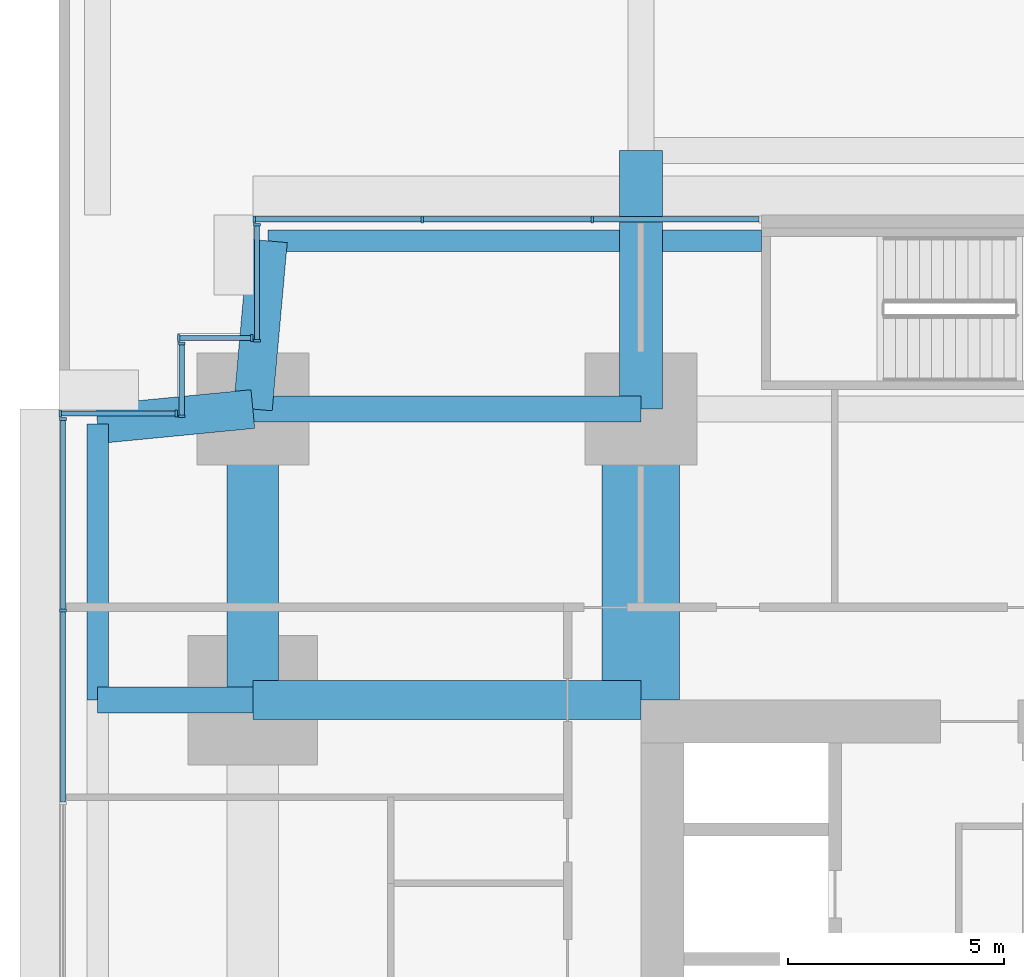
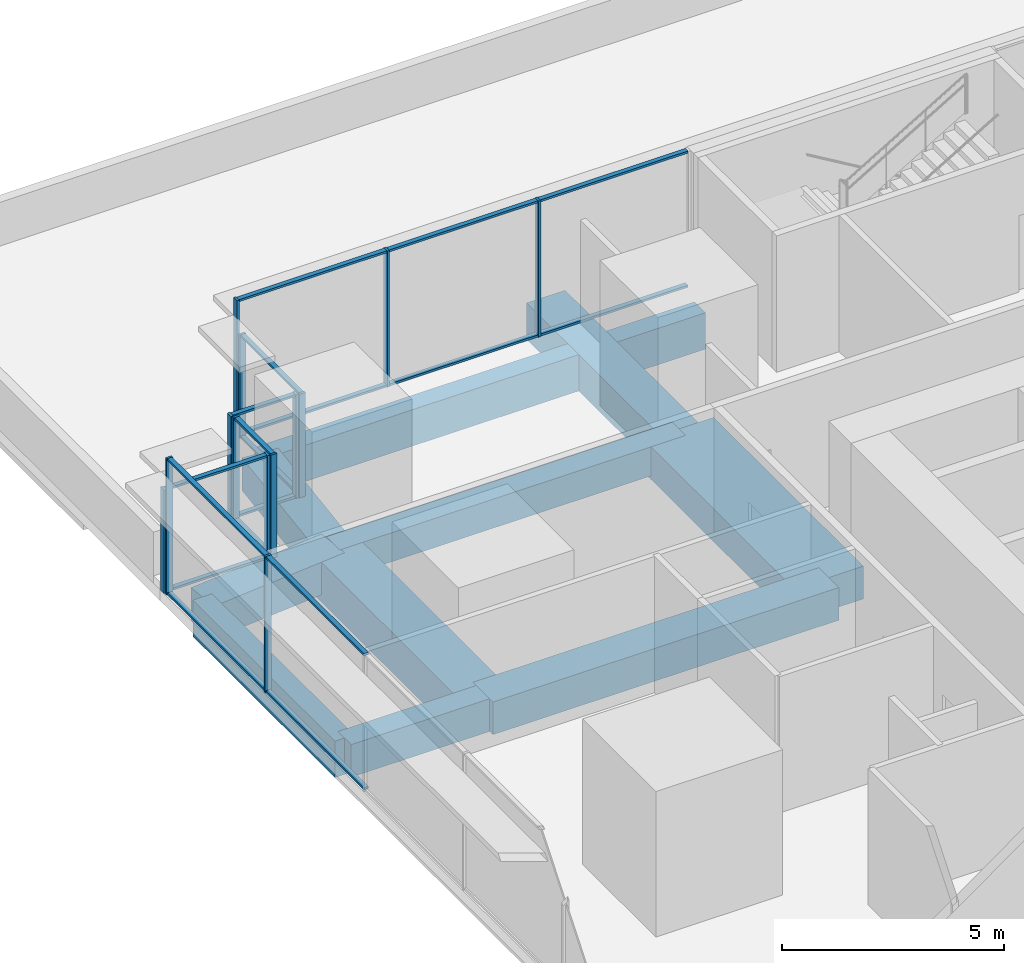
# One storey, part 8 of 34: 31 members, 11 beams, 6 elements without a shape of their own.
"""IFC4 building model written with IfcOpenShell, lengths in metres."""

from ifc_helpers import new_model, si_unit, direction, frame, origin, origin_2d, place, context, subcontext, project, spatial, rectangle, extrude, material, layer, layer_set, material_profile, profile_set, type_object, element, aggregate, save


model = new_model("IFC4")

# Units and contexts
model_context = context("Model", 3, precision=1e-05, world=origin(), true_north=direction((0.0, 1.0)))
body_context = subcontext(model_context, "Body", "Model", "MODEL_VIEW")
ifc_project = project(units=[si_unit("LENGTHUNIT", "METRE"), si_unit("AREAUNIT", "SQUARE_METRE"), si_unit("VOLUMEUNIT", "CUBIC_METRE"), si_unit("PLANEANGLEUNIT", "RADIAN"), si_unit("MASSUNIT", "GRAM", prefix="KILO")], contexts=[model_context])

# Site, building, storey
site_placement = place(None, origin())
site = spatial("IfcSite", under=ifc_project, at=site_placement, CompositionType="ELEMENT")
building_placement = place(site_placement, origin())
building = spatial("IfcBuilding", under=site, at=building_placement, Name="Namib Vertical Campus", CompositionType="ELEMENT")
storey_placement = place(building_placement, frame((0.0, 0.0, 21.0)))
storey = spatial("IfcBuildingStorey", under=building, at=storey_placement, Name="L04", CompositionType="ELEMENT", Elevation=21.0)

# Beam
ifc_material_1 = material(Name="Concrete C40/50", Category="concrete")
ifc_material_profile_1 = material_profile(ifc_material_1, rectangle(XDim=0.60009765625, YDim=0.89990234375, at=origin_2d()))
ifc_profile_set_1 = profile_set([ifc_material_profile_1], Name="Concrete C40/50")
beam_type_1 = type_object("IfcBeamType", Name="Cantilever girder RC 600x900", PredefinedType="BEAM", material=ifc_profile_set_1)
beam_1_placement = place(storey_placement, frame((4.5, 29.25, -0.75), z_axis=(-1.0, 0.0, 0.0), x_axis=(0.0, -1.0, 0.0)))
element("IfcBeam", 1, at=beam_1_placement, inside=storey, type_object=beam_type_1, Name="Beam B3 L04", PredefinedType="BEAM", context=body_context, shape_type="SweptSolid", body=[
    extrude(rectangle(XDim=0.60009765625, YDim=0.89990234375, at=origin_2d()), origin(), (0.0, 0.0, 1.0), 3.60009765625),
])

# Curtain wall, members
ifc_material_2 = material(Name="Black aluminium curtain wall", Category="aluminium")
ifc_layer = layer(ifc_material_2, 0.199951171875)
ifc_layer_set = layer_set([ifc_layer], Name="Lounge curtain wall CW-L4")
curtain_wall_type = type_object("IfcCurtainWallType", Name="Lounge curtain wall CW-L4", PredefinedType="USERDEFINED", material=ifc_layer_set)
curtain_wall_1_placement = place(storey_placement, origin())
curtain_wall_1 = element("IfcCurtainWall", 2, at=curtain_wall_1_placement, inside=storey, type_object=curtain_wall_type, Name="Curtain wall CW-L4 L04 F11-3", ObjectType="CURTAIN WALL", PredefinedType="USERDEFINED")
ifc_material_3 = material(Name="Black anodised aluminium", Category="aluminium")
ifc_material_profile_2 = material_profile(ifc_material_3, rectangle(XDim=0.06005859375, YDim=0.159912109375, at=origin_2d()))
ifc_profile_set_2 = profile_set([ifc_material_profile_2], Name="Black anodised aluminium")
member_type_1 = type_object("IfcMemberType", Name="Curtain wall mullion 60x160", PredefinedType="MULLION", material=ifc_profile_set_2)
member_1_placement = place(storey_placement, frame((12.36669921875, 40.39990234375, 0.0), z_axis=(0.0, 0.0, 1.0), x_axis=(-1.0, 0.0, 0.0)))
member_1 = element("IfcMember", 3, at=member_1_placement, type_object=member_type_1, Name="CW-L4 mullion 2", PredefinedType="MULLION", context=body_context, shape_type="SweptSolid", body=[
    extrude(rectangle(XDim=0.06005859375, YDim=0.159912109375, at=origin_2d()), origin(), (0.0, 0.0, 1.0), 3.75),
])
member_2_placement = place(storey_placement, frame((8.433349609375, 40.39990234375, 0.0), z_axis=(0.0, 0.0, 1.0), x_axis=(-1.0, 0.0, 0.0)))
member_2 = element("IfcMember", 4, at=member_2_placement, type_object=member_type_1, Name="CW-L4 mullion 3", PredefinedType="MULLION", context=body_context, shape_type="SweptSolid", body=[
    extrude(rectangle(XDim=0.06005859375, YDim=0.159912109375, at=origin_2d()), origin(), (0.0, 0.0, 1.0), 3.75),
])
member_3_placement = place(storey_placement, frame((4.530029296875, 40.39990234375, 0.0), z_axis=(0.0, 0.0, 1.0), x_axis=(-1.0, 0.0, 0.0)))
member_3 = element("IfcMember", 5, at=member_3_placement, type_object=member_type_1, Name="CW-L4 mullion 4", PredefinedType="MULLION", context=body_context, shape_type="SweptSolid", body=[
    extrude(rectangle(XDim=0.06005859375, YDim=0.159912109375, at=origin_2d()), origin(), (0.0, 0.0, 1.0), 3.75),
])

curtain_wall_2_placement = place(storey_placement, origin())
curtain_wall_2 = element("IfcCurtainWall", 6, at=curtain_wall_2_placement, inside=storey, type_object=curtain_wall_type, Name="Curtain wall CW-L4 L04 F12-1", ObjectType="CURTAIN WALL", PredefinedType="USERDEFINED")
member_4_placement = place(storey_placement, frame((4.60009765625, 40.27001953125, 0.0), z_axis=(0.0, 0.0, 1.0), x_axis=(0.0, -1.0, 0.0)))
member_4 = element("IfcMember", 7, at=member_4_placement, type_object=member_type_1, Name="CW-L4 mullion 1", PredefinedType="MULLION", context=body_context, shape_type="SweptSolid", body=[
    extrude(rectangle(XDim=0.06005859375, YDim=0.159912109375, at=origin_2d()), origin(), (0.0, 0.0, 1.0), 2.85009765625),
])
member_5_placement = place(storey_placement, frame((4.60009765625, 37.580078125, 0.0), z_axis=(0.0, 0.0, 1.0), x_axis=(0.0, -1.0, 0.0)))
member_5 = element("IfcMember", 8, at=member_5_placement, type_object=member_type_1, Name="CW-L4 mullion 2", PredefinedType="MULLION", context=body_context, shape_type="SweptSolid", body=[
    extrude(rectangle(XDim=0.06005859375, YDim=0.159912109375, at=origin_2d()), origin(), (0.0, 0.0, 1.0), 2.85009765625),
])

curtain_wall_3_placement = place(storey_placement, origin())
curtain_wall_3 = element("IfcCurtainWall", 9, at=curtain_wall_3_placement, inside=storey, type_object=curtain_wall_type, Name="Curtain wall CW-L4 L04 F13-1", ObjectType="CURTAIN WALL", PredefinedType="USERDEFINED")
member_6_placement = place(storey_placement, frame((4.469970703125, 37.64990234375, 0.0), z_axis=(0.0, 0.0, 1.0), x_axis=(-1.0, 0.0, 0.0)))
member_6 = element("IfcMember", 10, at=member_6_placement, type_object=member_type_1, Name="CW-L4 mullion 1", PredefinedType="MULLION", context=body_context, shape_type="SweptSolid", body=[
    extrude(rectangle(XDim=0.06005859375, YDim=0.159912109375, at=origin_2d()), origin(), (0.0, 0.0, 1.0), 2.85009765625),
])
member_7_placement = place(storey_placement, frame((2.780029296875, 37.64990234375, 0.0), z_axis=(0.0, 0.0, 1.0), x_axis=(-1.0, 0.0, 0.0)))
member_7 = element("IfcMember", 11, at=member_7_placement, type_object=member_type_1, Name="CW-L4 mullion 2", PredefinedType="MULLION", context=body_context, shape_type="SweptSolid", body=[
    extrude(rectangle(XDim=0.06005859375, YDim=0.159912109375, at=origin_2d()), origin(), (0.0, 0.0, 1.0), 2.85009765625),
])

curtain_wall_4_placement = place(storey_placement, origin())
curtain_wall_4 = element("IfcCurtainWall", 12, at=curtain_wall_4_placement, inside=storey, type_object=curtain_wall_type, Name="Curtain wall CW-L4 L04 F14-1", ObjectType="CURTAIN WALL", PredefinedType="USERDEFINED")
member_8_placement = place(storey_placement, frame((2.85009765625, 37.52001953125, 0.0), z_axis=(0.0, 0.0, 1.0), x_axis=(0.0, -1.0, 0.0)))
member_8 = element("IfcMember", 13, at=member_8_placement, type_object=member_type_1, Name="CW-L4 mullion 1", PredefinedType="MULLION", context=body_context, shape_type="SweptSolid", body=[
    extrude(rectangle(XDim=0.06005859375, YDim=0.159912109375, at=origin_2d()), origin(), (0.0, 0.0, 1.0), 2.85009765625),
])
member_9_placement = place(storey_placement, frame((2.85009765625, 35.830078125, 0.0), z_axis=(0.0, 0.0, 1.0), x_axis=(0.0, -1.0, 0.0)))
member_9 = element("IfcMember", 14, at=member_9_placement, type_object=member_type_1, Name="CW-L4 mullion 2", PredefinedType="MULLION", context=body_context, shape_type="SweptSolid", body=[
    extrude(rectangle(XDim=0.06005859375, YDim=0.159912109375, at=origin_2d()), origin(), (0.0, 0.0, 1.0), 2.85009765625),
])

curtain_wall_5_placement = place(storey_placement, origin())
curtain_wall_5 = element("IfcCurtainWall", 15, at=curtain_wall_5_placement, inside=storey, type_object=curtain_wall_type, Name="Curtain wall CW-L4 L04 F15-1", ObjectType="CURTAIN WALL", PredefinedType="USERDEFINED")
member_10_placement = place(storey_placement, frame((2.719970703125, 35.89990234375, 0.0), z_axis=(0.0, 0.0, 1.0), x_axis=(-1.0, 0.0, 0.0)))
member_10 = element("IfcMember", 16, at=member_10_placement, type_object=member_type_1, Name="CW-L4 mullion 1", PredefinedType="MULLION", context=body_context, shape_type="SweptSolid", body=[
    extrude(rectangle(XDim=0.06005859375, YDim=0.159912109375, at=origin_2d()), origin(), (0.0, 0.0, 1.0), 2.85009765625),
])
member_11_placement = place(storey_placement, frame((0.030029296875, 35.89990234375, 0.0), z_axis=(0.0, 0.0, 1.0), x_axis=(-1.0, 0.0, 0.0)))
member_11 = element("IfcMember", 17, at=member_11_placement, type_object=member_type_1, Name="CW-L4 mullion 2", PredefinedType="MULLION", context=body_context, shape_type="SweptSolid", body=[
    extrude(rectangle(XDim=0.06005859375, YDim=0.159912109375, at=origin_2d()), origin(), (0.0, 0.0, 1.0), 2.85009765625),
])

curtain_wall_6_placement = place(storey_placement, origin())
curtain_wall_6 = element("IfcCurtainWall", 18, at=curtain_wall_6_placement, inside=storey, type_object=curtain_wall_type, Name="Curtain wall CW-L4 L04 F16-1", ObjectType="CURTAIN WALL", PredefinedType="USERDEFINED")
member_12_placement = place(storey_placement, frame((0.10009765625, 35.77001953125, 0.0), z_axis=(0.0, 0.0, 1.0), x_axis=(0.0, -1.0, 0.0)))
member_12 = element("IfcMember", 19, at=member_12_placement, type_object=member_type_1, Name="CW-L4 mullion 1", PredefinedType="MULLION", context=body_context, shape_type="SweptSolid", body=[
    extrude(rectangle(XDim=0.06005859375, YDim=0.159912109375, at=origin_2d()), origin(), (0.0, 0.0, 1.0), 3.75),
])
member_13_placement = place(storey_placement, frame((0.10009765625, 31.32861328125, 0.0), z_axis=(0.0, 0.0, 1.0), x_axis=(0.0, -1.0, 0.0)))
member_13 = element("IfcMember", 20, at=member_13_placement, type_object=member_type_1, Name="CW-L4 mullion 2", PredefinedType="MULLION", context=body_context, shape_type="SweptSolid", body=[
    extrude(rectangle(XDim=0.06005859375, YDim=0.159912109375, at=origin_2d()), origin(), (0.0, 0.0, 1.0), 3.75),
])

# Member
ifc_material_4 = material(Name="Black anodised aluminium", Category="aluminium")
ifc_material_profile_3 = material_profile(ifc_material_4, rectangle(XDim=0.06005859375, YDim=0.1201171875, at=origin_2d()))
ifc_profile_set_3 = profile_set([ifc_material_profile_3], Name="Black anodised aluminium")
member_type_2 = type_object("IfcMemberType", Name="Curtain wall transom 60x120", PredefinedType="USERDEFINED", material=ifc_profile_set_3)
member_14_placement = place(storey_placement, frame((16.239990234375, 40.39990234375, 0.030029296875), z_axis=(-1.0, 0.0, 0.0), x_axis=(0.0, 0.0, 1.0)))
member_14 = element("IfcMember", 21, at=member_14_placement, type_object=member_type_2, Name="CW-L4 transom 1.1", ObjectType="TRANSOM", PredefinedType="USERDEFINED", context=body_context, shape_type="SweptSolid", body=[
    extrude(rectangle(XDim=0.06005859375, YDim=0.1201171875, at=origin_2d()), origin(), (0.0, 0.0, 1.0), 3.84326171875),
])

member_15_placement = place(storey_placement, frame((16.239990234375, 40.39990234375, 3.719970703125), z_axis=(-1.0, 0.0, 0.0), x_axis=(0.0, 0.0, 1.0)))
member_15 = element("IfcMember", 22, at=member_15_placement, type_object=member_type_2, Name="CW-L4 transom 1.2", ObjectType="TRANSOM", PredefinedType="USERDEFINED", context=body_context, shape_type="SweptSolid", body=[
    extrude(rectangle(XDim=0.06005859375, YDim=0.1201171875, at=origin_2d()), origin(), (0.0, 0.0, 1.0), 3.84326171875),
])

member_16_placement = place(storey_placement, frame((12.336669921875, 40.39990234375, 0.030029296875), z_axis=(-1.0, 0.0, 0.0), x_axis=(0.0, 0.0, 1.0)))
member_16 = element("IfcMember", 23, at=member_16_placement, type_object=member_type_2, Name="CW-L4 transom 2.1", ObjectType="TRANSOM", PredefinedType="USERDEFINED", context=body_context, shape_type="SweptSolid", body=[
    extrude(rectangle(XDim=0.06005859375, YDim=0.1201171875, at=origin_2d()), origin(), (0.0, 0.0, 1.0), 3.873291015625),
])

member_17_placement = place(storey_placement, frame((12.336669921875, 40.39990234375, 3.719970703125), z_axis=(-1.0, 0.0, 0.0), x_axis=(0.0, 0.0, 1.0)))
member_17 = element("IfcMember", 24, at=member_17_placement, type_object=member_type_2, Name="CW-L4 transom 2.2", ObjectType="TRANSOM", PredefinedType="USERDEFINED", context=body_context, shape_type="SweptSolid", body=[
    extrude(rectangle(XDim=0.06005859375, YDim=0.1201171875, at=origin_2d()), origin(), (0.0, 0.0, 1.0), 3.873291015625),
])

member_18_placement = place(storey_placement, frame((8.4033203125, 40.39990234375, 0.030029296875), z_axis=(-1.0, 0.0, 0.0), x_axis=(0.0, 0.0, 1.0)))
member_18 = element("IfcMember", 25, at=member_18_placement, type_object=member_type_2, Name="CW-L4 transom 3.1", ObjectType="TRANSOM", PredefinedType="USERDEFINED", context=body_context, shape_type="SweptSolid", body=[
    extrude(rectangle(XDim=0.06005859375, YDim=0.1201171875, at=origin_2d()), origin(), (0.0, 0.0, 1.0), 3.84326171875),
])

member_19_placement = place(storey_placement, frame((8.4033203125, 40.39990234375, 3.719970703125), z_axis=(-1.0, 0.0, 0.0), x_axis=(0.0, 0.0, 1.0)))
member_19 = element("IfcMember", 26, at=member_19_placement, type_object=member_type_2, Name="CW-L4 transom 3.2", ObjectType="TRANSOM", PredefinedType="USERDEFINED", context=body_context, shape_type="SweptSolid", body=[
    extrude(rectangle(XDim=0.06005859375, YDim=0.1201171875, at=origin_2d()), origin(), (0.0, 0.0, 1.0), 3.84326171875),
])

aggregate(curtain_wall_1, [member_1, member_2, member_3, member_14, member_15, member_16, member_17, member_18, member_19])

member_20_placement = place(storey_placement, frame((4.60009765625, 40.239990234375, 0.030029296875), z_axis=(0.0, -1.0, 0.0), x_axis=(0.0, 0.0, 1.0)))
member_20 = element("IfcMember", 27, at=member_20_placement, type_object=member_type_2, Name="CW-L4 transom 1.1", ObjectType="TRANSOM", PredefinedType="USERDEFINED", context=body_context, shape_type="SweptSolid", body=[
    extrude(rectangle(XDim=0.06005859375, YDim=0.1201171875, at=origin_2d()), origin(), (0.0, 0.0, 1.0), 2.6298828125),
])

member_21_placement = place(storey_placement, frame((4.60009765625, 40.239990234375, 2.820068359375), z_axis=(0.0, -1.0, 0.0), x_axis=(0.0, 0.0, 1.0)))
member_21 = element("IfcMember", 28, at=member_21_placement, type_object=member_type_2, Name="CW-L4 transom 1.2", ObjectType="TRANSOM", PredefinedType="USERDEFINED", context=body_context, shape_type="SweptSolid", body=[
    extrude(rectangle(XDim=0.06005859375, YDim=0.1201171875, at=origin_2d()), origin(), (0.0, 0.0, 1.0), 2.6298828125),
])

aggregate(curtain_wall_2, [member_4, member_5, member_20, member_21])

member_22_placement = place(storey_placement, frame((4.43994140625, 37.64990234375, 0.030029296875), z_axis=(-1.0, 0.0, 0.0), x_axis=(0.0, 0.0, 1.0)))
member_22 = element("IfcMember", 29, at=member_22_placement, type_object=member_type_2, Name="CW-L4 transom 1.1", ObjectType="TRANSOM", PredefinedType="USERDEFINED", context=body_context, shape_type="SweptSolid", body=[
    extrude(rectangle(XDim=0.06005859375, YDim=0.1201171875, at=origin_2d()), origin(), (0.0, 0.0, 1.0), 1.6298828125),
])

member_23_placement = place(storey_placement, frame((4.43994140625, 37.64990234375, 2.820068359375), z_axis=(-1.0, 0.0, 0.0), x_axis=(0.0, 0.0, 1.0)))
member_23 = element("IfcMember", 30, at=member_23_placement, type_object=member_type_2, Name="CW-L4 transom 1.2", ObjectType="TRANSOM", PredefinedType="USERDEFINED", context=body_context, shape_type="SweptSolid", body=[
    extrude(rectangle(XDim=0.06005859375, YDim=0.1201171875, at=origin_2d()), origin(), (0.0, 0.0, 1.0), 1.6298828125),
])

aggregate(curtain_wall_3, [member_6, member_7, member_22, member_23])

member_24_placement = place(storey_placement, frame((2.85009765625, 37.489990234375, 0.030029296875), z_axis=(0.0, -1.0, 0.0), x_axis=(0.0, 0.0, 1.0)))
member_24 = element("IfcMember", 31, at=member_24_placement, type_object=member_type_2, Name="CW-L4 transom 1.1", ObjectType="TRANSOM", PredefinedType="USERDEFINED", context=body_context, shape_type="SweptSolid", body=[
    extrude(rectangle(XDim=0.06005859375, YDim=0.1201171875, at=origin_2d()), origin(), (0.0, 0.0, 1.0), 1.6298828125),
])

member_25_placement = place(storey_placement, frame((2.85009765625, 37.489990234375, 2.820068359375), z_axis=(0.0, -1.0, 0.0), x_axis=(0.0, 0.0, 1.0)))
member_25 = element("IfcMember", 32, at=member_25_placement, type_object=member_type_2, Name="CW-L4 transom 1.2", ObjectType="TRANSOM", PredefinedType="USERDEFINED", context=body_context, shape_type="SweptSolid", body=[
    extrude(rectangle(XDim=0.06005859375, YDim=0.1201171875, at=origin_2d()), origin(), (0.0, 0.0, 1.0), 1.6298828125),
])

aggregate(curtain_wall_4, [member_8, member_9, member_24, member_25])

member_26_placement = place(storey_placement, frame((2.68994140625, 35.89990234375, 0.030029296875), z_axis=(-1.0, 0.0, 0.0), x_axis=(0.0, 0.0, 1.0)))
member_26 = element("IfcMember", 33, at=member_26_placement, type_object=member_type_2, Name="CW-L4 transom 1.1", ObjectType="TRANSOM", PredefinedType="USERDEFINED", context=body_context, shape_type="SweptSolid", body=[
    extrude(rectangle(XDim=0.06005859375, YDim=0.1201171875, at=origin_2d()), origin(), (0.0, 0.0, 1.0), 2.6298828125),
])

member_27_placement = place(storey_placement, frame((2.68994140625, 35.89990234375, 2.820068359375), z_axis=(-1.0, 0.0, 0.0), x_axis=(0.0, 0.0, 1.0)))
member_27 = element("IfcMember", 34, at=member_27_placement, type_object=member_type_2, Name="CW-L4 transom 1.2", ObjectType="TRANSOM", PredefinedType="USERDEFINED", context=body_context, shape_type="SweptSolid", body=[
    extrude(rectangle(XDim=0.06005859375, YDim=0.1201171875, at=origin_2d()), origin(), (0.0, 0.0, 1.0), 2.6298828125),
])

aggregate(curtain_wall_5, [member_10, member_11, member_26, member_27])

member_28_placement = place(storey_placement, frame((0.10009765625, 35.739990234375, 0.030029296875), z_axis=(0.0, -1.0, 0.0), x_axis=(0.0, 0.0, 1.0)))
member_28 = element("IfcMember", 35, at=member_28_placement, type_object=member_type_2, Name="CW-L4 transom 1.1", ObjectType="TRANSOM", PredefinedType="USERDEFINED", context=body_context, shape_type="SweptSolid", body=[
    extrude(rectangle(XDim=0.06005859375, YDim=0.1201171875, at=origin_2d()), origin(), (0.0, 0.0, 1.0), 4.38134765625),
])

member_29_placement = place(storey_placement, frame((0.10009765625, 35.739990234375, 3.719970703125), z_axis=(0.0, -1.0, 0.0), x_axis=(0.0, 0.0, 1.0)))
member_29 = element("IfcMember", 36, at=member_29_placement, type_object=member_type_2, Name="CW-L4 transom 1.2", ObjectType="TRANSOM", PredefinedType="USERDEFINED", context=body_context, shape_type="SweptSolid", body=[
    extrude(rectangle(XDim=0.06005859375, YDim=0.1201171875, at=origin_2d()), origin(), (0.0, 0.0, 1.0), 4.38134765625),
])

member_30_placement = place(storey_placement, frame((0.10009765625, 31.298583984375, 0.030029296875), z_axis=(0.0, -1.0, 0.0), x_axis=(0.0, 0.0, 1.0)))
member_30 = element("IfcMember", 37, at=member_30_placement, type_object=member_type_2, Name="CW-L4 transom 2.1", ObjectType="TRANSOM", PredefinedType="USERDEFINED", context=body_context, shape_type="SweptSolid", body=[
    extrude(rectangle(XDim=0.06005859375, YDim=0.1201171875, at=origin_2d()), origin(), (0.0, 0.0, 1.0), 4.411376953125),
])

member_31_placement = place(storey_placement, frame((0.10009765625, 31.298583984375, 3.719970703125), z_axis=(0.0, -1.0, 0.0), x_axis=(0.0, 0.0, 1.0)))
member_31 = element("IfcMember", 38, at=member_31_placement, type_object=member_type_2, Name="CW-L4 transom 2.2", ObjectType="TRANSOM", PredefinedType="USERDEFINED", context=body_context, shape_type="SweptSolid", body=[
    extrude(rectangle(XDim=0.06005859375, YDim=0.1201171875, at=origin_2d()), origin(), (0.0, 0.0, 1.0), 4.411376953125),
])

aggregate(curtain_wall_6, [member_12, member_13, member_28, member_29, member_30, member_31])

# Beams
ifc_material_5 = material(Name="Concrete C40/50", Category="concrete")
ifc_material_profile_4 = material_profile(ifc_material_5, rectangle(XDim=0.89990234375, YDim=0.89990234375, at=origin_2d()))
ifc_profile_set_4 = profile_set([ifc_material_profile_4], Name="Concrete C40/50")
beam_type_2 = type_object("IfcBeamType", Name="Face girder RC 900x900", PredefinedType="BEAM", material=ifc_profile_set_4)
beam_2_placement = place(storey_placement, frame((4.5, 29.25, -0.75), z_axis=(1.0, 0.0, 0.0), x_axis=(0.0, 1.0, 0.0)))
element("IfcBeam", 39, at=beam_2_placement, inside=storey, type_object=beam_type_2, Name="Beam B10 L04", PredefinedType="BEAM", context=body_context, shape_type="SweptSolid", body=[
    extrude(rectangle(XDim=0.89990234375, YDim=0.89990234375, at=origin_2d()), origin(), (0.0, 0.0, 1.0), 9.0),
])
ifc_material_6 = material(Name="Concrete C40/50", Category="concrete")
ifc_material_profile_5 = material_profile(ifc_material_6, rectangle(XDim=1.199951171875, YDim=1.10009765625, at=origin_2d()))
ifc_profile_set_5 = profile_set([ifc_material_profile_5], Name="Concrete C40/50")
beam_type_3 = type_object("IfcBeamType", Name="Face ring beam RC 1200x1100", PredefinedType="BEAM", material=ifc_profile_set_5)
beam_3_placement = place(storey_placement, frame((4.5, 29.25, -0.85009765625), z_axis=(0.0, 1.0, 0.0), x_axis=(-1.0, 0.0, 0.0)))
element("IfcBeam", 40, at=beam_3_placement, inside=storey, type_object=beam_type_3, Name="Beam B11 L04", PredefinedType="BEAM", context=body_context, shape_type="SweptSolid", body=[
    extrude(rectangle(XDim=1.199951171875, YDim=1.10009765625, at=origin_2d()), origin(), (0.0, 0.0, 1.0), 6.75),
])
ifc_material_7 = material(Name="Concrete C40/50", Category="concrete")
ifc_material_profile_6 = material_profile(ifc_material_7, rectangle(XDim=1.800048828125, YDim=0.89990234375, at=origin_2d()))
ifc_profile_set_6 = profile_set([ifc_material_profile_6], Name="Concrete C40/50")
beam_type_4 = type_object("IfcBeamType", Name="Outrigger line girder RC 1800x900", PredefinedType="BEAM", material=ifc_profile_set_6)
beam_4_placement = place(storey_placement, frame((13.5, 36.0, -0.75), z_axis=(0.0, -1.0, 0.0), x_axis=(1.0, 0.0, 0.0)))
element("IfcBeam", 41, at=beam_4_placement, inside=storey, type_object=beam_type_4, Name="Beam B12 L04", PredefinedType="BEAM", context=body_context, shape_type="SweptSolid", body=[
    extrude(rectangle(XDim=1.800048828125, YDim=0.89990234375, at=origin_2d()), origin(), (0.0, 0.0, 1.0), 6.75),
])
ifc_material_8 = material(Name="Concrete C40/50", Category="concrete")
ifc_material_profile_7 = material_profile(ifc_material_8, rectangle(XDim=0.89990234375, YDim=0.89990234375, at=origin_2d()))
ifc_profile_set_7 = profile_set([ifc_material_profile_7], Name="Concrete C40/50")
beam_type_5 = type_object("IfcBeamType", Name="Podium roof corner cantilever RC 900x900", PredefinedType="BEAM", material=ifc_profile_set_7)
beam_5_placement = place(storey_placement, frame((4.5, 36.0, -0.75), z_axis=(0.089411326146, 0.995994786511, 0.0), x_axis=(-0.995994786511, 0.089411326146, 0.0)))
element("IfcBeam", 42, at=beam_5_placement, inside=storey, type_object=beam_type_5, Name="Beam B13 L04", PredefinedType="BEAM", context=body_context, shape_type="SweptSolid", body=[
    extrude(rectangle(XDim=0.89990234375, YDim=0.89990234375, at=origin_2d()), origin(), (0.0, 0.0, 1.0), 3.91552734375),
])
beam_6_placement = place(storey_placement, frame((4.5, 36.0, -0.75), z_axis=(-0.99530481399, -0.096790119576, 0.0), x_axis=(0.096790119576, -0.99530481399, 0.0)))
element("IfcBeam", 43, at=beam_6_placement, inside=storey, type_object=beam_type_5, Name="Beam B13 L04", PredefinedType="BEAM", context=body_context, shape_type="SweptSolid", body=[
    extrude(rectangle(XDim=0.89990234375, YDim=0.89990234375, at=origin_2d()), origin(), (0.0, 0.0, 1.0), 3.6171875),
])
ifc_material_9 = material(Name="Concrete C40/50", Category="concrete")
ifc_material_profile_8 = material_profile(ifc_material_9, rectangle(XDim=0.5, YDim=1.0, at=origin_2d()))
ifc_profile_set_8 = profile_set([ifc_material_profile_8], Name="Concrete C40/50")
beam_type_6 = type_object("IfcBeamType", Name="Podium roof edge beam RC 500x1000", PredefinedType="SPANDREL", material=ifc_profile_set_8)
beam_7_placement = place(storey_placement, frame((4.85009765625, 39.89990234375, -0.800048828125), z_axis=(1.0, 0.0, 0.0), x_axis=(0.0, 1.0, 0.0)))
element("IfcBeam", 44, at=beam_7_placement, inside=storey, type_object=beam_type_6, Name="Beam B8 L04", PredefinedType="SPANDREL", context=body_context, shape_type="SweptSolid", body=[
    extrude(rectangle(XDim=0.5, YDim=1.0, at=origin_2d()), origin(), (0.0, 0.0, 1.0), 8.14990234375),
])
beam_8_placement = place(storey_placement, frame((14.0, 39.89990234375, -0.800048828125), z_axis=(1.0, 0.0, 0.0), x_axis=(0.0, 1.0, 0.0)))
element("IfcBeam", 45, at=beam_8_placement, inside=storey, type_object=beam_type_6, Name="Beam B8 L04", PredefinedType="SPANDREL", context=body_context, shape_type="SweptSolid", body=[
    extrude(rectangle(XDim=0.5, YDim=1.0, at=origin_2d()), origin(), (0.0, 0.0, 1.0), 2.300048828125),
])
beam_9_placement = place(storey_placement, frame((0.89990234375, 29.25, -0.800048828125), z_axis=(0.0, 1.0, 0.0), x_axis=(-1.0, 0.0, 0.0)))
element("IfcBeam", 46, at=beam_9_placement, inside=storey, type_object=beam_type_6, Name="Beam B8 L04", PredefinedType="SPANDREL", context=body_context, shape_type="SweptSolid", body=[
    extrude(rectangle(XDim=0.5, YDim=1.0, at=origin_2d()), origin(), (0.0, 0.0, 1.0), 6.39990234375),
])
ifc_material_10 = material(Name="Concrete C40/50", Category="concrete")
ifc_material_profile_9 = material_profile(ifc_material_10, rectangle(XDim=1.0, YDim=1.0, at=origin_2d()))
ifc_profile_set_9 = profile_set([ifc_material_profile_9], Name="Concrete C40/50")
beam_type_7 = type_object("IfcBeamType", Name="Podium tie beam RC 1000x1000", PredefinedType="BEAM", material=ifc_profile_set_9)
beam_10_placement = place(storey_placement, frame((13.5, 36.0, -0.800048828125), z_axis=(0.0, 1.0, 0.0), x_axis=(-1.0, 0.0, 0.0)))
element("IfcBeam", 47, at=beam_10_placement, inside=storey, type_object=beam_type_7, Name="Beam PB3 L04", PredefinedType="BEAM", context=body_context, shape_type="SweptSolid", body=[
    extrude(rectangle(XDim=1.0, YDim=1.0, at=origin_2d()), origin(), (0.0, 0.0, 1.0), 6.0),
])
ifc_material_11 = material(Name="Concrete C40/50", Category="concrete")
ifc_material_profile_10 = material_profile(ifc_material_11, rectangle(XDim=0.60009765625, YDim=0.800048828125, at=origin_2d()))
ifc_profile_set_10 = profile_set([ifc_material_profile_10], Name="Concrete C40/50")
beam_type_8 = type_object("IfcBeamType", Name="Ring beam RC 600x800", PredefinedType="BEAM", material=ifc_profile_set_10)
beam_11_placement = place(storey_placement, frame((4.5, 36.0, -0.699951171875), z_axis=(1.0, 0.0, 0.0), x_axis=(0.0, 1.0, 0.0)))
element("IfcBeam", 48, at=beam_11_placement, inside=storey, type_object=beam_type_8, Name="Beam B1 L04", PredefinedType="BEAM", context=body_context, shape_type="SweptSolid", body=[
    extrude(rectangle(XDim=0.60009765625, YDim=0.800048828125, at=origin_2d()), origin(), (0.0, 0.0, 1.0), 9.0),
])

save(model, "model.ifc")
